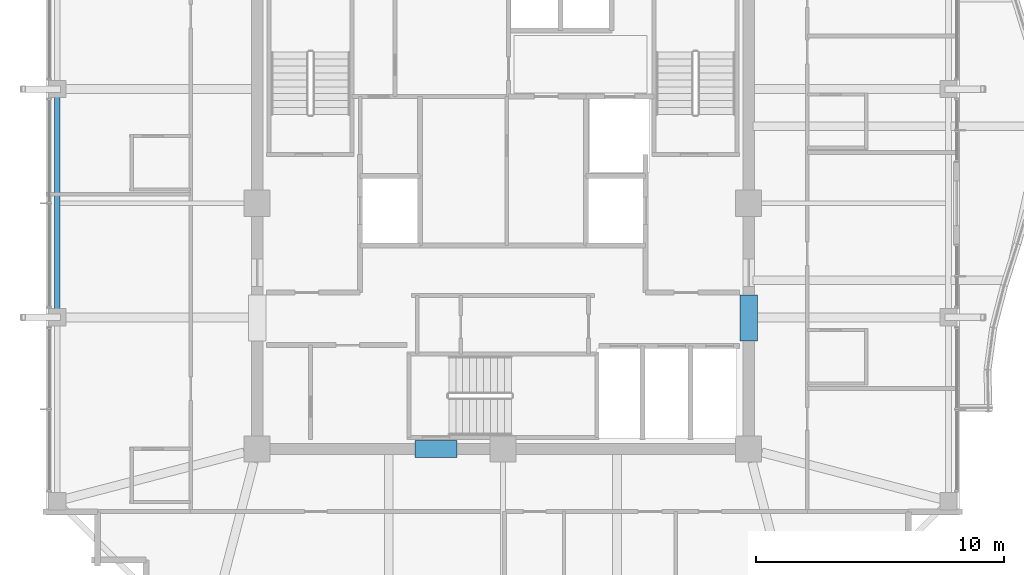
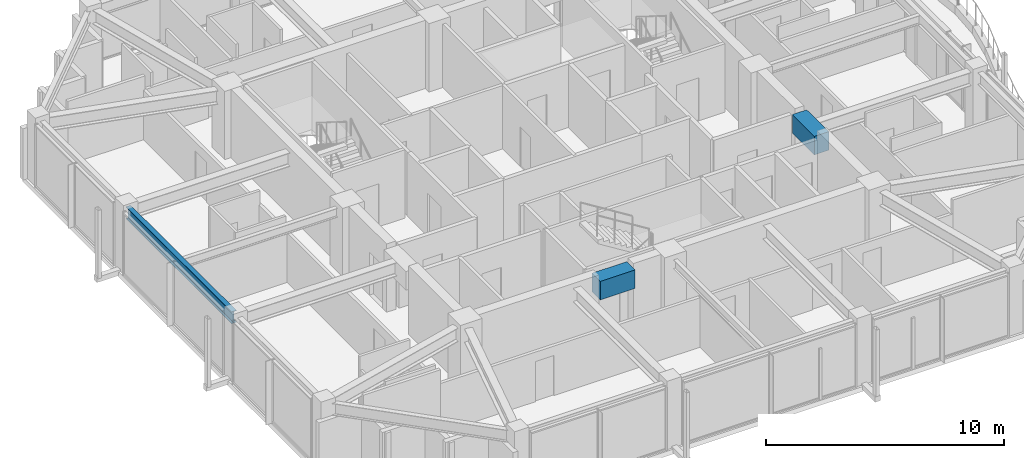
# One storey, part 7 of 29: 3 beams.
"""IFC4 building model written with IfcOpenShell, lengths in metres."""

from ifc_helpers import new_model, si_unit, direction, frame, origin, origin_2d, place, context, subcontext, project, spatial, rectangle, i_section, extrude, material, material_profile, profile_set, type_object, element, save


model = new_model("IFC4")

# Units and contexts
model_context = context("Model", 3, precision=1e-05, world=origin(), true_north=direction((0.0, 1.0)))
body_context = subcontext(model_context, "Body", "Model", "MODEL_VIEW")
ifc_project = project(units=[si_unit("LENGTHUNIT", "METRE"), si_unit("AREAUNIT", "SQUARE_METRE"), si_unit("VOLUMEUNIT", "CUBIC_METRE"), si_unit("PLANEANGLEUNIT", "RADIAN"), si_unit("MASSUNIT", "GRAM", prefix="KILO")], contexts=[model_context])

# Site, building, storey
site_placement = place(None, origin())
site = spatial("IfcSite", under=ifc_project, at=site_placement, CompositionType="ELEMENT")
building_placement = place(site_placement, origin())
building = spatial("IfcBuilding", under=site, at=building_placement, Name="Kolvaren Belvedere", CompositionType="ELEMENT")
storey_placement = place(building_placement, frame((0.0, 0.0, 244.39990234375)))
storey = spatial("IfcBuildingStorey", under=building, at=storey_placement, Name="L71", CompositionType="ELEMENT", Elevation=244.39990234375)

# Beams
ifc_material_1 = material(Name="Concrete C60/75", Category="concrete")
ifc_material_profile_1 = material_profile(ifc_material_1, rectangle(XDim=0.699951171875, YDim=0.949951171875, at=origin_2d()), Name="RC 700X950")
ifc_profile_set_1 = profile_set([ifc_material_profile_1], Name="Concrete C60/75")
beam_type_1 = type_object("IfcBeamType", Name="BM-LINT-950", PredefinedType="LINTEL", material=ifc_profile_set_1)
beam_1_placement = place(storey_placement, frame((-3.5400390625, -9.89990234375, 2.775146484375), z_axis=(1.0, 0.0, 0.0), x_axis=(0.0, 1.0, 0.0)))
element("IfcBeam", 1, at=beam_1_placement, inside=storey, type_object=beam_type_1, Name="L71 South Core Coupling Lintel", PredefinedType="LINTEL", context=body_context, shape_type="SweptSolid", body=[
    extrude(rectangle(XDim=0.699951171875, YDim=0.949951171875, at=origin_2d()), origin(), (0.0, 0.0, 1.0), 1.679931640625),
])
beam_2_placement = place(storey_placement, frame((9.89990234375, -5.550048828125, 2.775146484375), z_axis=(0.0, 1.0, 0.0), x_axis=(-1.0, 0.0, 0.0)))
element("IfcBeam", 2, at=beam_2_placement, inside=storey, type_object=beam_type_1, Name="L71 East Core Coupling Lintel", PredefinedType="LINTEL", context=body_context, shape_type="SweptSolid", body=[
    extrude(rectangle(XDim=0.699951171875, YDim=0.949951171875, at=origin_2d()), origin(), (0.0, 0.0, 1.0), 1.85009765625),
])
ifc_material_2 = material(Name="Structural steel ASTM A992 Grade 50", Category="steel")
ifc_material_profile_2 = material_profile(ifc_material_2, i_section(OverallWidth=0.22900390625, OverallDepth=0.612060546875, WebThickness=0.011962890625, FlangeThickness=0.01953125, FilletRadius=0.01806640625, at=origin_2d()), Name="W24X84")
ifc_profile_set_2 = profile_set([ifc_material_profile_2], Name="Structural steel ASTM A992 Grade 50")
beam_type_2 = type_object("IfcBeamType", Name="BM-SPAN-W24X84", PredefinedType="SPANDREL", material=ifc_profile_set_2)
beam_3_placement = place(storey_placement, frame((-17.949951171875, 4.4423828125, 2.944091796875), z_axis=(0.0, -1.0, 0.0), x_axis=(1.0, 0.0, 0.0)))
element("IfcBeam", 3, at=beam_3_placement, inside=storey, type_object=beam_type_2, Name="L71 Perimeter Spandrel W3-W2", PredefinedType="SPANDREL", context=body_context, shape_type="SweptSolid", body=[
    extrude(i_section(OverallWidth=0.22900390625, OverallDepth=0.612060546875, WebThickness=0.011962890625, FlangeThickness=0.01953125, FilletRadius=0.01806640625, at=origin_2d()), origin(), (0.0, 0.0, 1.0), 8.884765625),
])

save(model, "model.ifc")
